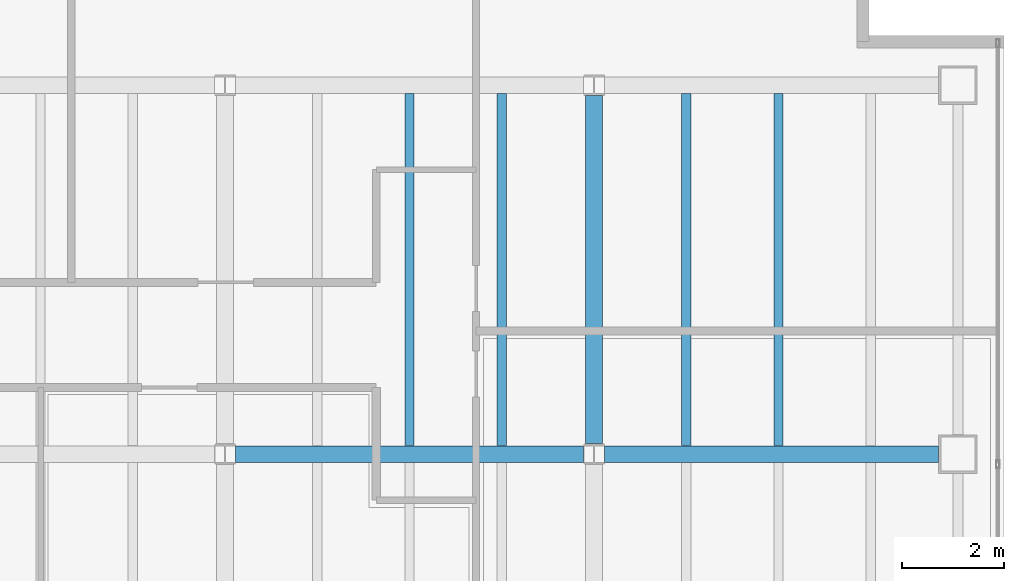
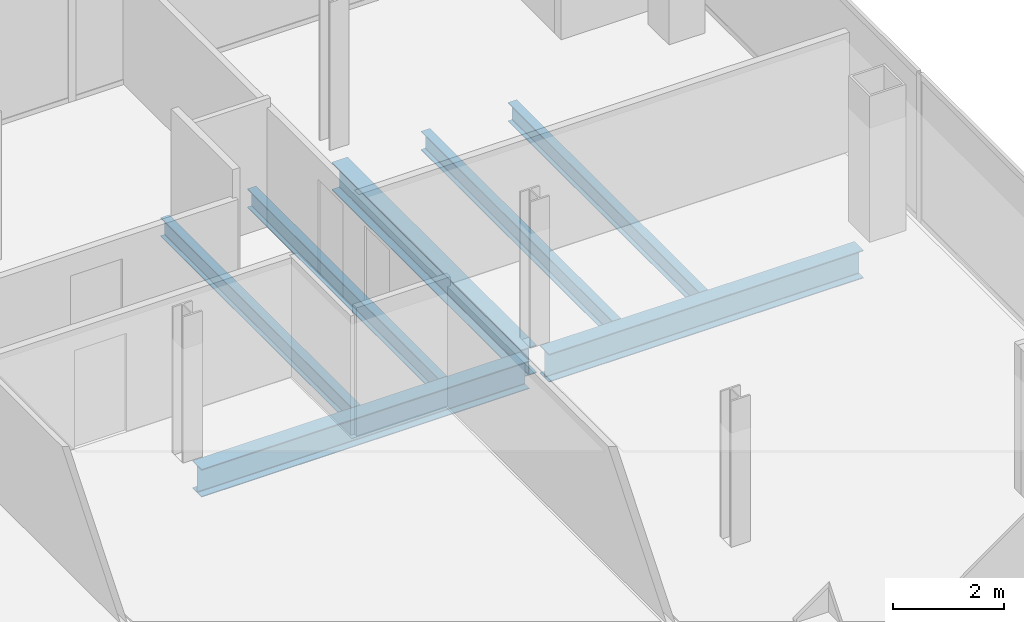
# One storey, part 13 of 23: 7 beams.
"""IFC4 building model written with IfcOpenShell, lengths in metres."""

from ifc_helpers import new_model, si_unit, direction, frame, origin, origin_2d, place, context, subcontext, project, spatial, i_section, extrude, material, material_profile, profile_set, type_object, element, save


model = new_model("IFC4")

# Units and contexts
model_context = context("Model", 3, precision=1e-05, world=origin(), true_north=direction((0.0, 1.0)))
body_context = subcontext(model_context, "Body", "Model", "MODEL_VIEW")
ifc_project = project(units=[si_unit("LENGTHUNIT", "METRE"), si_unit("AREAUNIT", "SQUARE_METRE"), si_unit("VOLUMEUNIT", "CUBIC_METRE"), si_unit("PLANEANGLEUNIT", "RADIAN"), si_unit("MASSUNIT", "GRAM", prefix="KILO")], contexts=[model_context])

# Site, building, storey
site_placement = place(None, origin())
site = spatial("IfcSite", under=ifc_project, at=site_placement, CompositionType="ELEMENT")
building_placement = place(site_placement, origin())
building = spatial("IfcBuilding", under=site, at=building_placement, Name="Cobrela Telecom Tower", CompositionType="ELEMENT")
storey_placement = place(building_placement, frame((0.0, 0.0, 208.25)))
storey = spatial("IfcBuildingStorey", under=building, at=storey_placement, Name="L53", CompositionType="ELEMENT", Elevation=208.25)

# Beams
ifc_material = material(Name="Steel ASTM A992 Grade 50", Category="steel")
ifc_material_profile_1 = material_profile(ifc_material, i_section(OverallWidth=0.324951171875, OverallDepth=0.612060546875, WebThickness=0.0126953125, FlangeThickness=0.01904296875, FilletRadius=0.014892578125, at=origin_2d()), Name="W24X104")
ifc_profile_set_1 = profile_set([ifc_material_profile_1], Name="Steel ASTM A992 Grade 50")
beam_type_1 = type_object("IfcBeamType", Name="BM-GIRD-07", PredefinedType="USERDEFINED", material=ifc_profile_set_1)
beam_1_placement = place(storey_placement, frame((29.00439453125, 14.39990234375, -0.56591796875), z_axis=(1.0, 0.0, 0.0), x_axis=(0.0, 1.0, 0.0)))
element("IfcBeam", 1, at=beam_1_placement, inside=storey, type_object=beam_type_1, Name="L53 Primary Girder X13", ObjectType="GIRDER", PredefinedType="USERDEFINED", context=body_context, shape_type="SweptSolid", body=[
    extrude(i_section(OverallWidth=0.324951171875, OverallDepth=0.612060546875, WebThickness=0.0126953125, FlangeThickness=0.01904296875, FilletRadius=0.014892578125, at=origin_2d()), origin(), (0.0, 0.0, 1.0), 6.791015625),
])
beam_2_placement = place(storey_placement, frame((36.20458984375, 14.39990234375, -0.56591796875), z_axis=(1.0, 0.0, 0.0), x_axis=(0.0, 1.0, 0.0)))
element("IfcBeam", 2, at=beam_2_placement, inside=storey, type_object=beam_type_1, Name="L53 Primary Girder X14", ObjectType="GIRDER", PredefinedType="USERDEFINED", context=body_context, shape_type="SweptSolid", body=[
    extrude(i_section(OverallWidth=0.324951171875, OverallDepth=0.612060546875, WebThickness=0.0126953125, FlangeThickness=0.01904296875, FilletRadius=0.014892578125, at=origin_2d()), origin(), (0.0, 0.0, 1.0), 6.515380859375),
])
beam_3_placement = place(storey_placement, frame((36.0, 14.6044921875, -0.56591796875), z_axis=(0.0, 1.0, 0.0), x_axis=(-1.0, 0.0, 0.0)))
element("IfcBeam", 3, at=beam_3_placement, inside=storey, type_object=beam_type_1, Name="L53 Primary Girder Y41", ObjectType="GIRDER", PredefinedType="USERDEFINED", context=body_context, shape_type="SweptSolid", body=[
    extrude(i_section(OverallWidth=0.324951171875, OverallDepth=0.612060546875, WebThickness=0.0126953125, FlangeThickness=0.01904296875, FilletRadius=0.014892578125, at=origin_2d()), origin(), (0.0, 0.0, 1.0), 6.791015625),
])
ifc_material_profile_2 = material_profile(ifc_material, i_section(OverallWidth=0.179931640625, OverallDepth=0.4169921875, WebThickness=0.010986328125, FlangeThickness=0.01806640625, FilletRadius=0.011962890625, at=origin_2d()), Name="W16X57")
ifc_profile_set_2 = profile_set([ifc_material_profile_2], Name="Steel ASTM A992 Grade 50")
beam_type_2 = type_object("IfcBeamType", Name="BM-JOIST-04", PredefinedType="JOIST", material=ifc_profile_set_2)
for number, where, z_axis, x_axis, name in (
    (4, (32.39990234375, 14.5673828125, -0.468505859375), (0.0, 1.0, 0.0), (-1.0, 0.0, 0.0), "L53 Secondary Composite Floor Beam J22"),
    (5, (34.199951171875, 14.5673828125, -0.468505859375), (0.0, 1.0, 0.0), (-1.0, 0.0, 0.0), "L53 Secondary Composite Floor Beam J24"),
    (6, (37.800048828125, 14.5673828125, -0.468505859375), (0.0, 1.0, 0.0), (-1.0, 0.0, 0.0), "L53 Secondary Composite Floor Beam J26"),
    (7, (39.60009765625, 14.5673828125, -0.468505859375), (0.0, 1.0, 0.0), (-1.0, 0.0, 0.0), "L53 Secondary Composite Floor Beam J28"),
):
    element("IfcBeam", number, at=place(storey_placement, frame(where, z_axis=z_axis, x_axis=x_axis)), inside=storey, type_object=beam_type_2, Name=name, PredefinedType="JOIST", context=body_context, shape_type="SweptSolid", body=[
        extrude(i_section(OverallWidth=0.179931640625, OverallDepth=0.4169921875, WebThickness=0.010986328125, FlangeThickness=0.01806640625, FilletRadius=0.011962890625, at=origin_2d()), origin(), (0.0, 0.0, 1.0), 6.865234375),
    ])

save(model, "model.ifc")
